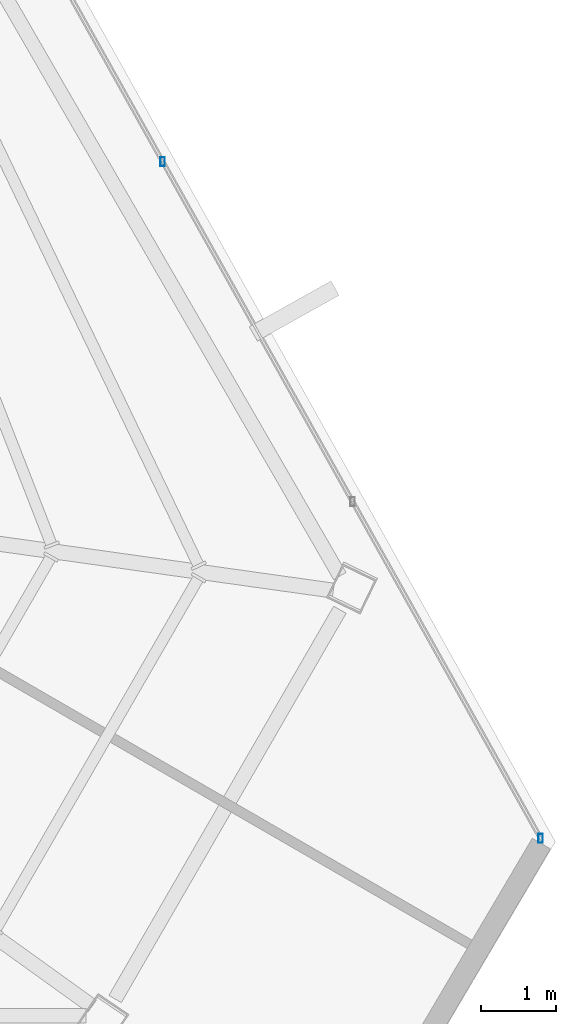
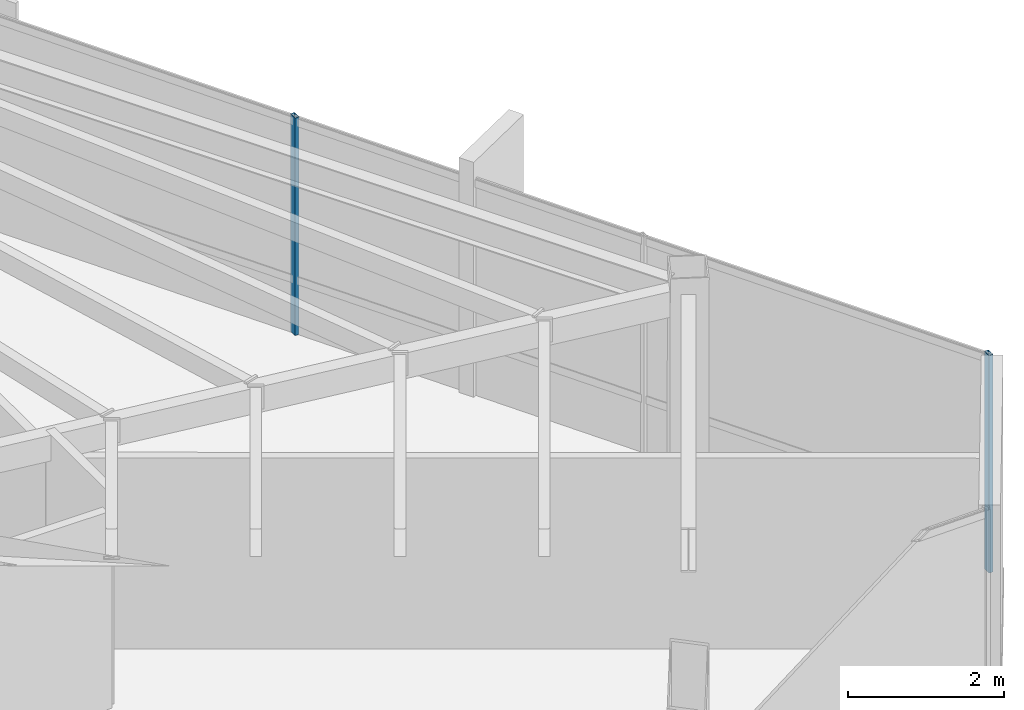
# One storey, part 27 of 48: 2 members, 1 element without a shape of its own.
"""IFC4 building model written with IfcOpenShell, lengths in metres."""

import ifcopenshell
import ifcopenshell.guid

model = None  # the IFC model being written
_history = None  # IfcOwnerHistory: only IFC2X3 demands one
_inside = {}  # id of a spatial element -> (the spatial element, [elements in it])
_under = {}  # id of a project, library or spatial element -> (it, [spatial elements below it])
_declared = {}  # id of a project -> (the project, [libraries it declares])
_typed = {}  # id of a type object -> (the type object, [elements of that type])
_made_of = {}  # id of a material, layer set ... -> (it, [elements and type objects made of it])


def new_model(schema):
    """Start an empty IFC model of exactly this schema.

    Asked for "IFC4X3", IfcOpenShell would pick the latest addendum, in which some entities
    have other attributes; the version numbers below select the first issue.
    IFC2X3 requires an IfcOwnerHistory on every rooted entity: one is made here for all.
    """
    global model, _history
    if schema == "IFC4X3":
        model = ifcopenshell.file(schema_version=(4, 3, 0, 0))
    else:
        model = ifcopenshell.file(schema=schema)
    _inside.clear()
    _under.clear()
    _declared.clear()
    _typed.clear()
    _made_of.clear()
    _history = None
    if model.schema == "IFC2X3":
        org = make("IfcOrganization", Name="unknown")
        user = make(
            "IfcPersonAndOrganization",
            ThePerson=make("IfcPerson", FamilyName="unknown"),
            TheOrganization=org,
        )
        app = make(
            "IfcApplication",
            ApplicationDeveloper=org,
            Version="unknown",
            ApplicationFullName="unknown",
            ApplicationIdentifier="unknown",
        )
        _history = make(
            "IfcOwnerHistory",
            OwningUser=user,
            OwningApplication=app,
            ChangeAction="ADDED",
            CreationDate=0,
        )
    return model


def make(cls, **values):
    """One entity of the class cls with the attributes given. An attribute that is None is left unset."""
    return model.create_entity(
        cls, **{name: value for name, value in values.items() if value is not None}
    )


def rooted(cls, **values):
    """An entity with a GlobalId (a new one), such as an element, a storey or a relation."""
    return make(cls, GlobalId=ifcopenshell.guid.new(), OwnerHistory=_history, **values)


def si_unit(unit_type, name, prefix=None):
    """IfcSIUnit, for example si_unit("LENGTHUNIT", "METRE", prefix="MILLI")."""
    return make("IfcSIUnit", UnitType=unit_type, Prefix=prefix, Name=name)


def assignment(units):
    """IfcUnitAssignment: the units of a project."""
    return None if units is None else make("IfcUnitAssignment", Units=units)


def point(xyz):
    """IfcCartesianPoint."""
    return None if xyz is None else make("IfcCartesianPoint", Coordinates=xyz)


def direction(xyz):
    """IfcDirection."""
    return None if xyz is None else make("IfcDirection", DirectionRatios=xyz)


def frame(location, z_axis=None, x_axis=None):
    """IfcAxis2Placement3D, a coordinate frame: its origin and axes. An axis left out is left unset."""
    return make(
        "IfcAxis2Placement3D",
        Location=point(location),
        Axis=direction(z_axis),
        RefDirection=direction(x_axis),
    )


def frame_2d(location, x_axis=None):
    """IfcAxis2Placement2D, a coordinate frame in the plane: its origin and x axis."""
    return make(
        "IfcAxis2Placement2D", Location=point(location), RefDirection=direction(x_axis)
    )


def origin():
    """The frame at (0, 0, 0) with its axes left unset."""
    return frame((0.0, 0.0, 0.0))


def origin_2d():
    """The frame at (0, 0) in the plane with its x axis left unset."""
    return frame_2d((0.0, 0.0))


def place(relative_to, where):
    """IfcLocalPlacement: puts the frame where relative to a parent placement (None: the world)."""
    return make(
        "IfcLocalPlacement", PlacementRelTo=relative_to, RelativePlacement=where
    )


def context(
    kind, dimensions, precision=None, world=None, true_north=None, identifier=None
):
    """IfcGeometricRepresentationContext, for example the 3D "Model" context."""
    return make(
        "IfcGeometricRepresentationContext",
        ContextIdentifier=identifier,
        ContextType=kind,
        CoordinateSpaceDimension=dimensions,
        Precision=precision,
        WorldCoordinateSystem=world,
        TrueNorth=true_north,
    )


def subcontext(parent, identifier, kind, view, scale=None):
    """IfcGeometricRepresentationSubContext, for example "Body" below "Model"."""
    return make(
        "IfcGeometricRepresentationSubContext",
        ContextIdentifier=identifier,
        ContextType=kind,
        ParentContext=parent,
        TargetScale=scale,
        TargetView=view,
    )


def project(units=None, contexts=None):
    """IfcProject with its units and contexts."""
    return rooted(
        "IfcProject",
        Name="project",
        RepresentationContexts=contexts,
        UnitsInContext=assignment(units),
    )


def spatial(cls, under=None, at=None, **own):
    """A site, building, storey or space (cls), placed at a placement, below another one or the project."""
    s = rooted(cls, ObjectPlacement=at, **own)
    if under is not None:
        _under.setdefault(under.id(), (under, []))[1].append(s)
    return s


def profile(cls, at=None, kind="AREA", **sizes):
    """A parametric profile (cls). Its sizes go by their IFC names, for example OverallWidth=200.0."""
    return make(cls, ProfileType=kind, Position=at, **sizes)


def hollow_rectangle(**sizes):
    """IfcRectangleHollowProfileDef."""
    return profile("IfcRectangleHollowProfileDef", **sizes)


def extrude(swept, where, along, depth):
    """IfcExtrudedAreaSolid: the profile swept, set in the frame where, extruded along a direction by depth."""
    return make(
        "IfcExtrudedAreaSolid",
        SweptArea=swept,
        Position=where,
        ExtrudedDirection=direction(along),
        Depth=depth,
    )


def shape(context_of_items, identifier, shape_type, items):
    """IfcShapeRepresentation: the items that make up one representation, for example the "Body"."""
    return make(
        "IfcShapeRepresentation",
        ContextOfItems=context_of_items,
        RepresentationIdentifier=identifier,
        RepresentationType=shape_type,
        Items=items,
    )


def source(mapping_origin, context_of_items, identifier, shape_type, items):
    """IfcRepresentationMap: a shape defined once, which mapped items show again and again."""
    return make(
        "IfcRepresentationMap",
        MappingOrigin=mapping_origin,
        MappedRepresentation=shape(context_of_items, identifier, shape_type, items),
    )


def transform(
    local_origin,
    x_axis=None,
    y_axis=None,
    z_axis=None,
    scale=None,
    scale2=None,
    scale3=None,
    uniform=True,
):
    """IfcCartesianTransformationOperator3D, or its non-uniform kind. x_axis, y_axis, z_axis: its Axis1, 2, 3."""
    if uniform:
        return make(
            "IfcCartesianTransformationOperator3D",
            Axis1=direction(x_axis),
            Axis2=direction(y_axis),
            LocalOrigin=point(local_origin),
            Scale=scale,
            Axis3=direction(z_axis),
        )
    return make(
        "IfcCartesianTransformationOperator3DnonUniform",
        Axis1=direction(x_axis),
        Axis2=direction(y_axis),
        LocalOrigin=point(local_origin),
        Scale=scale,
        Axis3=direction(z_axis),
        Scale2=scale2,
        Scale3=scale3,
    )


def mapped(mapping_source, mapping_target):
    """IfcMappedItem: shows the shape of a source again, moved by a transform."""
    return make(
        "IfcMappedItem", MappingSource=mapping_source, MappingTarget=mapping_target
    )


def material(Name=None, Category=None):
    """IfcMaterial."""
    return make("IfcMaterial", Name=Name, Category=Category)


def material_profile(
    of_material, cross_section, Name=None, Category=None, Priority=None
):
    """IfcMaterialProfile: a cross section and its material."""
    return make(
        "IfcMaterialProfile",
        Name=Name,
        Material=of_material,
        Profile=cross_section,
        Priority=Priority,
        Category=Category,
    )


def profile_set(profiles, Name=None, composite=None):
    """IfcMaterialProfileSet."""
    return make(
        "IfcMaterialProfileSet",
        Name=Name,
        MaterialProfiles=profiles,
        CompositeProfile=composite,
    )


def made_of(thing, what):
    """Note that an element or type object is made of a material, layer set ...; save() writes the relation."""
    if what is not None:
        _made_of.setdefault(what.id(), (what, []))[1].append(thing)
    return thing


def type_object(cls, material=None, **own):
    """A type object (cls), such as IfcWallType, which elements share."""
    return made_of(rooted(cls, **own), material)


def type_shapes(of_type, sources):
    """Give a type object the sources (RepresentationMaps) that its elements show as mapped items."""
    of_type.RepresentationMaps = sources


def element(
    cls,
    number,
    at=None,
    inside=None,
    cuts=None,
    type_object=None,
    material=None,
    context=None,
    identifier="Body",
    shape_type=None,
    held_by="IfcProductDefinitionShape",
    body=None,
    shapes=None,
    **own,
):
    """One element of the class cls, such as IfcWall. Its Tag is "e" and its number.

    at: its placement. inside: the storey or other place that contains it. cuts: it is an
    opening in that element (IfcRelVoidsElement). A single representation is given by context,
    identifier, shape_type and body (its items); several are given by shapes. held_by: the class
    of the entity that holds the representations. save() writes the other relations.
    """
    e = rooted(cls, Tag="e%d" % number, ObjectPlacement=at, **own)
    if body is not None:
        shapes = [shape(context, identifier, shape_type, body)]
    if shapes is not None:
        e.Representation = make(held_by, Representations=shapes)
    if inside is not None:
        _inside.setdefault(inside.id(), (inside, []))[1].append(e)
    if cuts is not None:
        rooted(
            "IfcRelVoidsElement", RelatingBuildingElement=cuts, RelatedOpeningElement=e
        )
    if type_object is not None:
        _typed.setdefault(type_object.id(), (type_object, []))[1].append(e)
    return made_of(e, material)


def aggregate(whole, parts):
    """IfcRelAggregates: a whole, such as a stair, and the parts it consists of."""
    return rooted("IfcRelAggregates", RelatingObject=whole, RelatedObjects=parts)


def save(model, path):
    """Write the relations noted so far, then the file.

    IfcRelAggregates (storeys below a building ...), IfcRelContainedInSpatialStructure (elements
    in a storey), IfcRelDefinesByType, IfcRelAssociatesMaterial and IfcRelDeclares: one each for
    every whole, place, type object, material and project.
    """
    for whole, parts in _under.values():
        aggregate(whole, parts)
    for where, things in _inside.values():
        rooted(
            "IfcRelContainedInSpatialStructure",
            RelatedElements=things,
            RelatingStructure=where,
        )
    for kind, things in _typed.values():
        rooted("IfcRelDefinesByType", RelatedObjects=things, RelatingType=kind)
    for what, things in _made_of.values():
        rooted("IfcRelAssociatesMaterial", RelatedObjects=things, RelatingMaterial=what)
    for by, libraries in _declared.values():
        rooted("IfcRelDeclares", RelatingContext=by, RelatedDefinitions=libraries)
    model.write(path)


model = new_model("IFC4")

# Units and contexts
model_context = context("Model", 3, precision=1e-05, world=origin(), true_north=direction((0.0, 1.0)))
body_context = subcontext(model_context, "Body", "Model", "MODEL_VIEW")
ifc_project = project(units=[si_unit("LENGTHUNIT", "METRE"), si_unit("AREAUNIT", "SQUARE_METRE"), si_unit("VOLUMEUNIT", "CUBIC_METRE"), si_unit("PLANEANGLEUNIT", "RADIAN"), si_unit("MASSUNIT", "GRAM", prefix="KILO")], contexts=[model_context])

# Site, building, storey
site_placement = place(None, origin())
site = spatial("IfcSite", under=ifc_project, at=site_placement, CompositionType="ELEMENT")
building_placement = place(site_placement, origin())
building = spatial("IfcBuilding", under=site, at=building_placement, Name="Caelisora Broadcast Tower", CompositionType="ELEMENT")
storey_placement = place(building_placement, frame((0.0, 0.0, 277.300048828125)))
storey = spatial("IfcBuildingStorey", under=building, at=storey_placement, Name="L73", CompositionType="ELEMENT", Elevation=277.300048828125)

# Curtain wall, members
ifc_material_1 = material(Name="Unitised Aluminium and Low-E Glass Curtain Wall", Category="glass")
curtain_wall_type = type_object("IfcCurtainWallType", Name="CW-Z5", PredefinedType="NOTDEFINED", material=ifc_material_1)
curtain_wall_placement = place(storey_placement, origin())
curtain_wall = element("IfcCurtainWall", 1, at=curtain_wall_placement, inside=storey, type_object=curtain_wall_type, Name="L73 curtain wall CW-Z5", PredefinedType="NOTDEFINED")
ifc_material_2 = material(Name="Aluminium 6063-T6 Anodised Terracotta Bronze", Category="aluminium")
ifc_material_profile = material_profile(ifc_material_2, hollow_rectangle(XDim=0.06005859375, YDim=0.1201171875, WallThickness=0.0029296875, at=origin_2d()), Name="Aluminium 6063-T6 Anodised Terracotta Bronze")
ifc_profile_set = profile_set([ifc_material_profile], Name="Aluminium 6063-T6 Anodised Terracotta Bronze")
member_type = type_object("IfcMemberType", Name="CWM-04", PredefinedType="MULLION", material=ifc_profile_set)
shared_shape = source(origin(), body_context, "Body", "SweptSolid", [
    extrude(hollow_rectangle(XDim=0.06005859375, YDim=0.1201171875, WallThickness=0.0029296875, at=origin_2d()), origin(), (0.0, 0.0, 1.0), 3.39990234375),
])
type_shapes(member_type, [shared_shape])
member_1_placement = place(storey_placement, frame((56.80908203125, 21.220703125, 0.0), z_axis=(0.0, 0.0, 1.0), x_axis=(1.0, 0.0, 0.0)))
member_1 = element("IfcMember", 2, at=member_1_placement, type_object=member_type, Name="L73-CW-B03 mullion #1", PredefinedType="MULLION", context=body_context, shape_type="MappedRepresentation", body=[
    mapped(shared_shape, transform((0.0, 0.0, 0.0), scale=1.0)),
])
member_2_placement = place(storey_placement, frame((61.8544921875, 12.187744140625, 0.0), z_axis=(0.0, 0.0, 1.0), x_axis=(1.0, 0.0, 0.0)))
member_2 = element("IfcMember", 3, at=member_2_placement, type_object=member_type, Name="L73-CW-B03 mullion #3", PredefinedType="MULLION", context=body_context, shape_type="MappedRepresentation", body=[
    mapped(shared_shape, transform((0.0, 0.0, 0.0), scale=1.0)),
])
aggregate(curtain_wall, [member_1, member_2])

save(model, "model.ifc")
